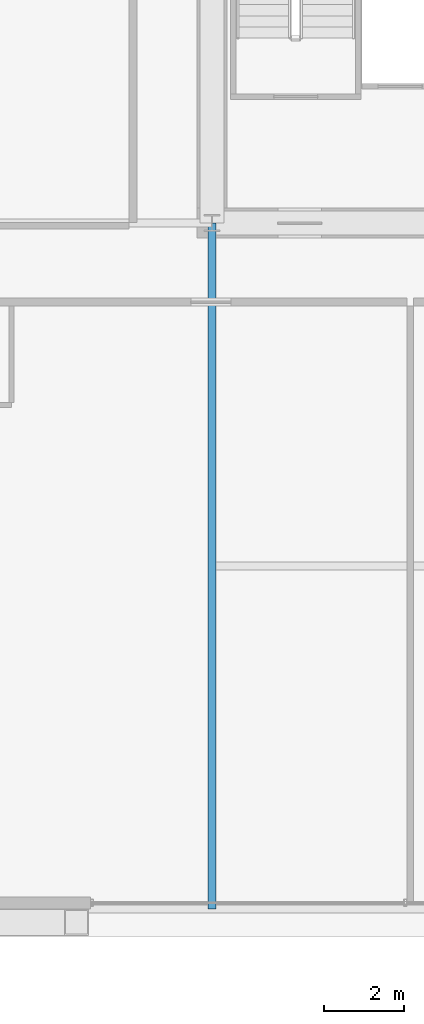
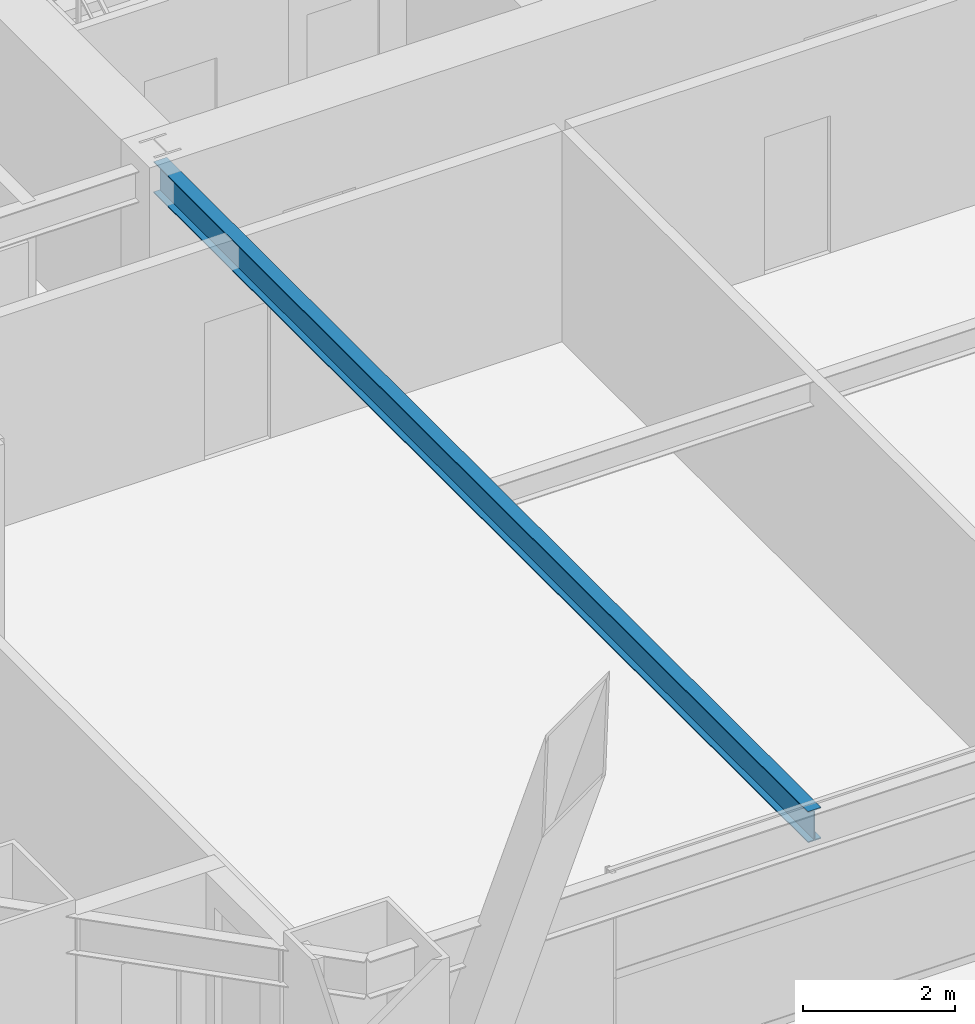
# One storey, part 8 of 41: 1 beam.
"""IFC4 building model written with IfcOpenShell, lengths in metres."""

from ifc_helpers import new_model, si_unit, direction, frame, origin, origin_2d, place, context, subcontext, project, spatial, i_section, extrude, source, transform, mapped, material, material_profile, profile_set, type_object, element, save


model = new_model("IFC4")

# Units and contexts
model_context = context("Model", 3, precision=1e-05, world=origin(), true_north=direction((0.0, 1.0)))
body_context = subcontext(model_context, "Body", "Model", "MODEL_VIEW")
ifc_project = project(units=[si_unit("LENGTHUNIT", "METRE"), si_unit("AREAUNIT", "SQUARE_METRE"), si_unit("VOLUMEUNIT", "CUBIC_METRE"), si_unit("PLANEANGLEUNIT", "RADIAN"), si_unit("MASSUNIT", "GRAM", prefix="KILO"), si_unit("THERMODYNAMICTEMPERATUREUNIT", "KELVIN"), si_unit("POWERUNIT", "WATT")], contexts=[model_context])

# Site, building, storey
site_placement = place(None, origin())
site = spatial("IfcSite", under=ifc_project, at=site_placement, CompositionType="ELEMENT")
building_placement = place(site_placement, origin())
building = spatial("IfcBuilding", under=site, at=building_placement, Name="Yuzanri Waterfront Tower", CompositionType="ELEMENT")
storey_placement = place(building_placement, frame((0.0, 0.0, 115.39990234375)))
storey = spatial("IfcBuildingStorey", under=building, at=storey_placement, Name="L30", CompositionType="ELEMENT", Elevation=115.39990234375)

# Beam
ifc_material = material(Name="Steel Q355B", Category="steel")
ifc_material_profile = material_profile(ifc_material, i_section(OverallWidth=0.199951171875, OverallDepth=0.5, WebThickness=0.010009765625, FlangeThickness=0.01611328125, at=origin_2d()), Name="HN 500x200x10x16")
ifc_profile_set = profile_set([ifc_material_profile], Name="Steel Q355B")
beam_type = type_object("IfcBeamType", Name="Secondary Floor Beam Q355B HN 500x200", PredefinedType="BEAM", material=ifc_profile_set)
shared_shape = source(origin(), body_context, "Body", "SweptSolid", [
    extrude(i_section(OverallWidth=0.199951171875, OverallDepth=0.5, WebThickness=0.010009765625, FlangeThickness=0.01611328125, at=origin_2d()), origin(), (0.0, 0.0, 1.0), 17.199951171875),
])
beam_placement = place(storey_placement, frame((23.800048828125, 19.39990234375, 3.130126953125), z_axis=(0.0, -1.0, 0.0), x_axis=(1.0, 0.0, 0.0)))
element("IfcBeam", 1, at=beam_placement, inside=storey, type_object=beam_type, Name="L30 South-West Core Line Beam", PredefinedType="BEAM", context=body_context, shape_type="MappedRepresentation", body=[
    mapped(shared_shape, transform((0.0, 0.0, 0.0), scale=1.0)),
])

save(model, "model.ifc")
